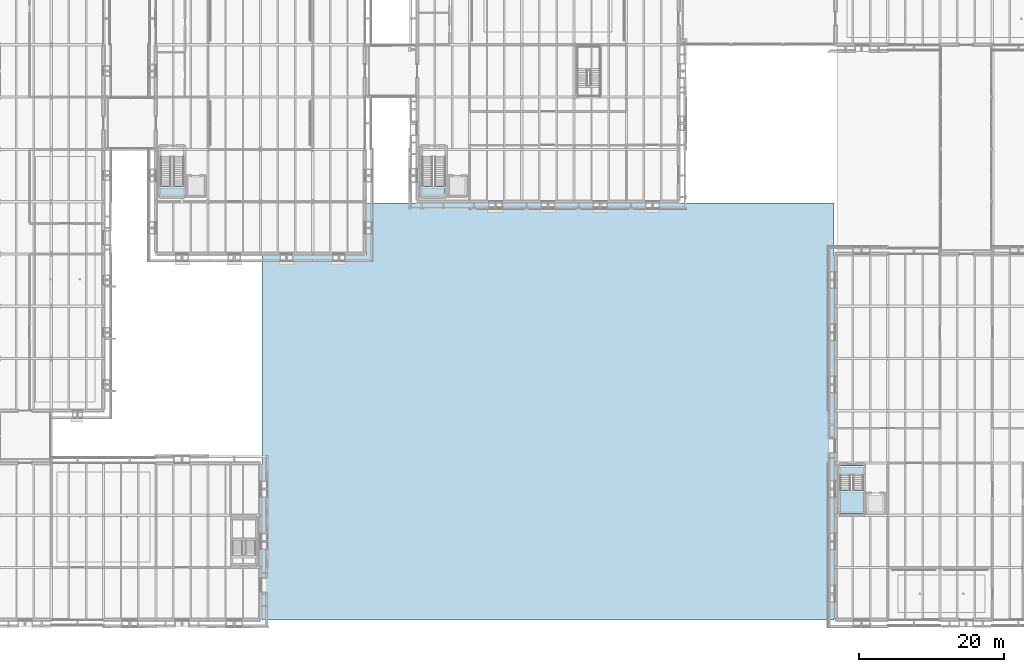
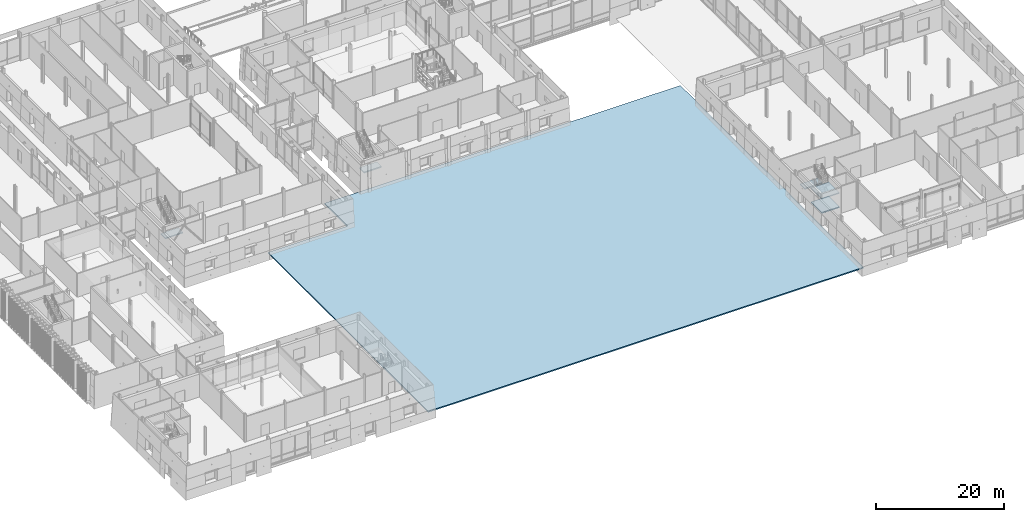
# One storey, part 51 of 120: 6 slabs, 3 elements without a shape of their own.
"""IFC4 building model written with IfcOpenShell, lengths in metres."""

from ifc_helpers import new_model, si_unit, direction, frame, origin, place, context, subcontext, project, spatial, polyline, outline, extrude, material, layer, layer_set, type_object, element, aggregate, save


model = new_model("IFC4")

# Units and contexts
model_context = context("Model", 3, precision=1e-05, world=origin(), true_north=direction((0.0, 1.0)))
body_context = subcontext(model_context, "Body", "Model", "MODEL_VIEW")
ifc_project = project(units=[si_unit("LENGTHUNIT", "METRE"), si_unit("AREAUNIT", "SQUARE_METRE"), si_unit("VOLUMEUNIT", "CUBIC_METRE"), si_unit("PLANEANGLEUNIT", "RADIAN"), si_unit("MASSUNIT", "GRAM", prefix="KILO")], contexts=[model_context])

# Site, building, storey
site_placement = place(None, origin())
site = spatial("IfcSite", under=ifc_project, at=site_placement, CompositionType="ELEMENT")
building_placement = place(site_placement, origin())
building = spatial("IfcBuilding", under=site, at=building_placement, Name="Narikvali Park Central Library", CompositionType="ELEMENT")
storey_placement = place(building_placement, origin())
storey = spatial("IfcBuildingStorey", under=building, at=storey_placement, Name="L00", CompositionType="ELEMENT", Elevation=0.0)

# Slab
ifc_material = material(Name="Concrete C35/45", Category="concrete")
ifc_layer_1 = layer(ifc_material, 0.219970703125, Name="Concrete C35/45")
ifc_layer_set_1 = layer_set([ifc_layer_1], Name="Concrete C35/45")
slab_type_1 = type_object("IfcSlabType", Name="Forecourt Stepped Terrace Slab 220", PredefinedType="USERDEFINED", material=ifc_layer_set_1)
slab_1_placement = place(storey_placement, frame((0.0, 0.0, -0.219970703125)))
element("IfcSlab", 1, at=slab_1_placement, inside=storey, type_object=slab_type_1, Name="Garden Court Paving", ObjectType="PAVING", PredefinedType="USERDEFINED", context=body_context, shape_type="SweptSolid", body=[
    extrude(outline(polyline([(43.39990234375, 0.0), (122.199951171875, 0.0), (122.199951171875, 57.39990234375), (57.800048828125, 57.39990234375), (57.800048828125, 50.199951171875), (43.39990234375, 50.199951171875), (43.39990234375, 0.0)])), origin(), (0.0, 0.0, 1.0), 0.219970703125),
])

# Stair, slab
stair_type = type_object("IfcStairType", Name="Core Enclosed Two-Flight Exit Stair", PredefinedType="HALF_TURN_STAIR", material=ifc_material)
stair_1_placement = place(storey_placement, origin())
stair_1 = element("IfcStair", 2, at=stair_1_placement, inside=storey, type_object=stair_type, Name="L00 Exit Stair ST-01", PredefinedType="HALF_TURN_STAIR")
ifc_layer_2 = layer(ifc_material, 0.199951171875, Name="Concrete C35/45")
ifc_layer_set_2 = layer_set([ifc_layer_2], Name="Concrete C35/45")
slab_type_2 = type_object("IfcSlabType", Name="Stair Half-Landing Concrete Slab 200", PredefinedType="LANDING", material=ifc_layer_set_2)
slab_2_placement = place(storey_placement, frame((0.0, 0.0, 2.5)))
slab_2 = element("IfcSlab", 3, at=slab_2_placement, type_object=slab_type_2, Name="ST-01 landing 1", PredefinedType="LANDING", context=body_context, shape_type="SweptSolid", body=[
    extrude(outline(polyline([(65.449951171875, 59.760009765625), (65.449951171875, 58.300048828125), (68.64990234375, 58.300048828125), (68.64990234375, 59.760009765625), (65.449951171875, 59.760009765625)])), origin(), (0.0, 0.0, 1.0), 0.199951171875),
])
aggregate(stair_1, [slab_2])

stair_2_placement = place(storey_placement, origin())
stair_2 = element("IfcStair", 4, at=stair_2_placement, inside=storey, type_object=stair_type, Name="L00 Exit Stair ST-07", PredefinedType="HALF_TURN_STAIR")
slab_3_placement = place(storey_placement, frame((0.0, 0.0, 2.5)))
slab_3 = element("IfcSlab", 5, at=slab_3_placement, type_object=slab_type_2, Name="ST-07 landing 1", PredefinedType="LANDING", context=body_context, shape_type="SweptSolid", body=[
    extrude(outline(polyline([(29.449951171875, 59.760009765625), (29.449951171875, 58.300048828125), (32.64990234375, 58.300048828125), (32.64990234375, 59.760009765625), (29.449951171875, 59.760009765625)])), origin(), (0.0, 0.0, 1.0), 0.199951171875),
])
aggregate(stair_2, [slab_3])

# Stair, slabs
stair_3_placement = place(storey_placement, origin())
stair_3 = element("IfcStair", 6, at=stair_3_placement, inside=storey, type_object=stair_type, Name="L00 Exit Stair ST-11", PredefinedType="HALF_TURN_STAIR")
slab_4_placement = place(storey_placement, frame((0.0, 0.0, 1.14990234375)))
slab_4 = element("IfcSlab", 7, at=slab_4_placement, type_object=slab_type_2, Name="ST-11 landing 1", PredefinedType="LANDING", context=body_context, shape_type="SweptSolid", body=[
    extrude(outline(polyline([(123.050048828125, 17.905029296875), (123.050048828125, 14.550048828125), (126.25, 14.550048828125), (126.25, 17.905029296875), (123.050048828125, 17.905029296875)])), origin(), (0.0, 0.0, 1.0), 0.2001953125),
])
slab_5_placement = place(storey_placement, frame((0.0, 0.0, 2.5)))
slab_5 = element("IfcSlab", 8, at=slab_5_placement, type_object=slab_type_2, Name="ST-11 landing 2", PredefinedType="LANDING", context=body_context, shape_type="SweptSolid", body=[
    extrude(outline(polyline([(123.050048828125, 21.35009765625), (123.050048828125, 19.89990234375), (126.25, 19.89990234375), (126.25, 21.35009765625), (123.050048828125, 21.35009765625)])), origin(), (0.0, 0.0, 1.0), 0.199951171875),
])
slab_6_placement = place(storey_placement, frame((0.0, 0.0, 3.85009765625)))
slab_6 = element("IfcSlab", 9, at=slab_6_placement, type_object=slab_type_2, Name="ST-11 landing 3", PredefinedType="LANDING", context=body_context, shape_type="SweptSolid", body=[
    extrude(outline(polyline([(123.050048828125, 17.905029296875), (123.050048828125, 14.550048828125), (126.25, 14.550048828125), (126.25, 17.905029296875), (123.050048828125, 17.905029296875)])), origin(), (0.0, 0.0, 1.0), 0.199951171875),
])
aggregate(stair_3, [slab_4, slab_5, slab_6])

save(model, "model.ifc")
